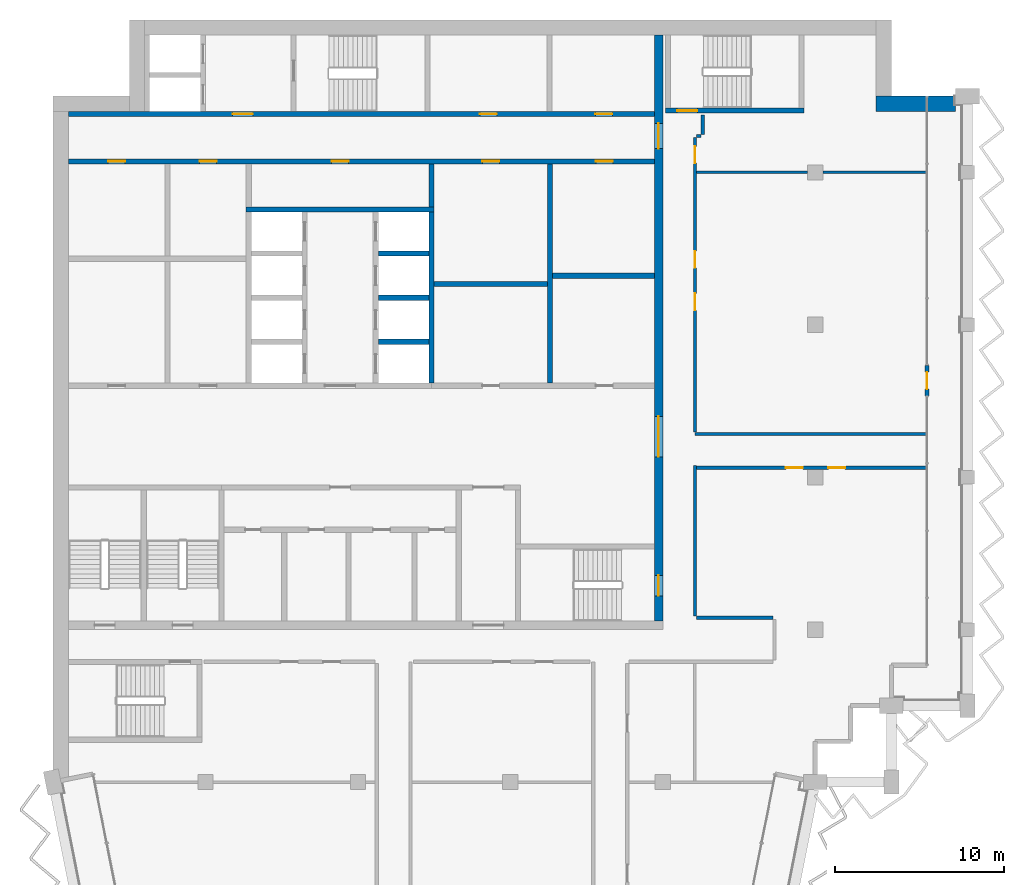
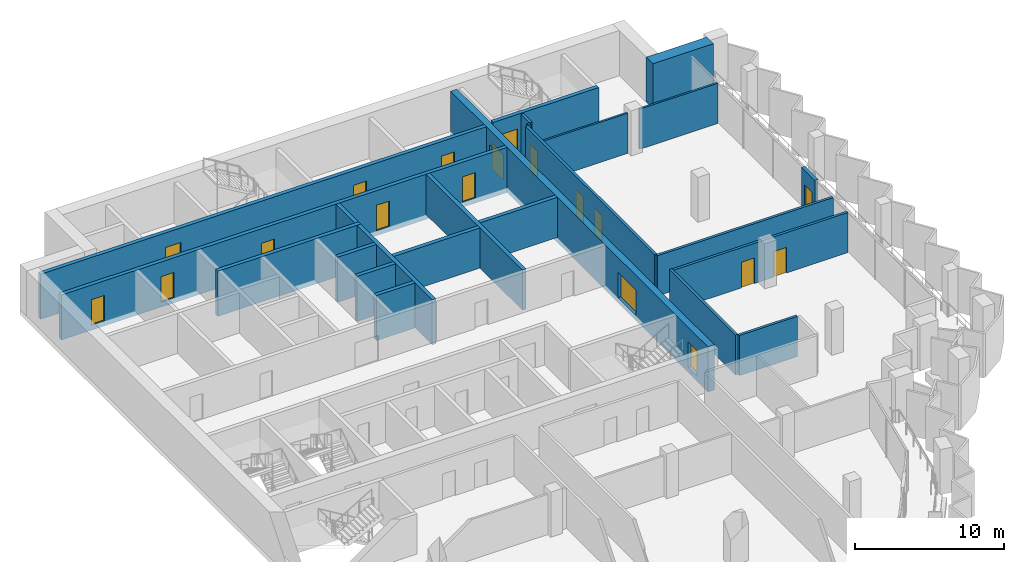
# One storey, part 9 of 14: 24 walls, 18 doors, 18 openings.
"""IFC4 building model written with IfcOpenShell, lengths in metres."""

from ifc_helpers import new_model, si_unit, direction, frame, frame_2d, origin, place, context, subcontext, project, spatial, rectangle, extrude, material, layer, layer_set, type_object, element, fill, save


model = new_model("IFC4")

# Units and contexts
model_context = context("Model", 3, precision=1e-05, world=origin(), true_north=direction((0.0, 1.0)))
body_context = subcontext(model_context, "Body", "Model", "MODEL_VIEW")
ifc_project = project(units=[si_unit("LENGTHUNIT", "METRE"), si_unit("AREAUNIT", "SQUARE_METRE"), si_unit("VOLUMEUNIT", "CUBIC_METRE"), si_unit("PLANEANGLEUNIT", "RADIAN"), si_unit("MASSUNIT", "GRAM", prefix="KILO")], contexts=[model_context])

# Site, building, storey
site_placement = place(None, origin())
site = spatial("IfcSite", under=ifc_project, at=site_placement, CompositionType="ELEMENT")
building_placement = place(site_placement, origin())
building = spatial("IfcBuilding", under=site, at=building_placement, Name="Hunhe Ridgeline Campus", CompositionType="ELEMENT")
storey_placement = place(building_placement, frame((0.0, 0.0, 291.89990234375)))
storey = spatial("IfcBuildingStorey", under=building, at=storey_placement, Name="L75", CompositionType="ELEMENT", Elevation=291.89990234375)

# Walls
ifc_material_1 = material(Name="Masonry concrete blockwork", Category="masonry")
ifc_layer_1 = layer(ifc_material_1, 0.300048828125)
ifc_layer_set_1 = layer_set([ifc_layer_1], Name="Core room partition 300 concrete block")
wall_type_1 = type_object("IfcWallType", Name="Core room partition 300 concrete block", PredefinedType="PARTITIONING", material=ifc_layer_set_1)
wall_1_placement = place(storey_placement, frame((22.5, 83.39990234375, 0.0), z_axis=(0.0, 0.0, 1.0), x_axis=(1.0, 0.0, 0.0)))
element("IfcWall", 1, at=wall_1_placement, inside=storey, type_object=wall_type_1, Name="L75 core partition 14", PredefinedType="PARTITIONING", context=body_context, shape_type="SweptSolid", body=[
    extrude(rectangle(XDim=6.699951171875, YDim=0.300048828125, at=frame_2d((3.35009765625, 0.0))), origin(), (0.0, 0.0, 1.0), 3.300048828125),
])
wall_2_placement = place(storey_placement, frame((29.5, 83.89990234375, 0.0), z_axis=(0.0, 0.0, 1.0), x_axis=(1.0, 0.0, 0.0)))
element("IfcWall", 2, at=wall_2_placement, inside=storey, type_object=wall_type_1, Name="L75 core partition 15", PredefinedType="PARTITIONING", context=body_context, shape_type="SweptSolid", body=[
    extrude(rectangle(XDim=6.0, YDim=0.300048828125, at=frame_2d((3.0, 0.0))), origin(), (0.0, 0.0, 1.0), 3.300048828125),
])
wall_3_placement = place(storey_placement, frame((22.35009765625, 87.949951171875, 0.0), z_axis=(0.0, 0.0, 1.0), x_axis=(0.0, 1.0, 0.0)))
element("IfcWall", 3, at=wall_3_placement, inside=storey, type_object=wall_type_1, Name="L75 core partition 40", PredefinedType="PARTITIONING", context=body_context, shape_type="SweptSolid", body=[
    extrude(rectangle(XDim=2.550048828125, YDim=0.300048828125, at=frame_2d((1.27490234375, 0.0))), origin(), (0.0, 0.0, 1.0), 3.300048828125),
])
wall_4_placement = place(storey_placement, frame((29.35009765625, 77.550048828125, 0.0), z_axis=(0.0, 0.0, 1.0), x_axis=(0.0, 1.0, 0.0)))
element("IfcWall", 4, at=wall_4_placement, inside=storey, type_object=wall_type_1, Name="L75 core partition 45", PredefinedType="PARTITIONING", context=body_context, shape_type="SweptSolid", body=[
    extrude(rectangle(XDim=12.949951171875, YDim=0.300048828125, at=frame_2d((6.47509765625, 0.0))), origin(), (0.0, 0.0, 1.0), 3.300048828125),
])

# Wall, openings, doors
ifc_material_2 = material(Name="Concrete C50", Category="concrete")
ifc_layer_2 = layer(ifc_material_2, 0.5)
ifc_layer_set_2 = layer_set([ifc_layer_2], Name="Core wall 500 reinforced concrete C50")
wall_type_2 = type_object("IfcWallType", Name="Core wall 500 reinforced concrete C50", PredefinedType="SOLIDWALL", material=ifc_layer_set_2)
wall_5_placement = place(storey_placement, frame((35.75, 63.5, -0.39990234375), z_axis=(0.0, 0.0, 1.0), x_axis=(0.0, 1.0, 0.0)))
wall_5 = element("IfcWall", 5, at=wall_5_placement, inside=storey, type_object=wall_type_2, Name="L75 core wall 46", PredefinedType="SOLIDWALL", context=body_context, shape_type="SweptSolid", body=[
    extrude(rectangle(XDim=34.60009765625, YDim=0.5, at=frame_2d((17.300048828125, 0.0))), origin(), (0.0, 0.0, 1.0), 3.699951171875),
])
opening_1_placement = place(wall_5_placement, frame((9.699951171875, 0.0, 0.39990234375)))
opening_1 = element("IfcOpeningElement", 6, at=opening_1_placement, cuts=wall_5, Name="Opening CD4", PredefinedType="OPENING", context=body_context, shape_type="SweptSolid", body=[
    extrude(rectangle(XDim=2.39990234375, YDim=2.10009765625, at=frame_2d((1.199951171875, 1.050048828125))), frame((0.0, 0.25, 0.0), z_axis=(0.0, -1.0, 0.0), x_axis=(1.0, 0.0, 0.0)), (0.0, 0.0, 1.0), 0.5),
])
opening_2_placement = place(wall_5_placement, frame((27.89990234375, 0.0, 0.39990234375)))
opening_2 = element("IfcOpeningElement", 7, at=opening_2_placement, cuts=wall_5, Name="Opening CD5", PredefinedType="OPENING", context=body_context, shape_type="SweptSolid", body=[
    extrude(rectangle(XDim=1.5, YDim=2.10009765625, at=frame_2d((0.75, 1.050048828125))), frame((0.0, 0.25, 0.0), z_axis=(0.0, -1.0, 0.0), x_axis=(1.0, 0.0, 0.0)), (0.0, 0.0, 1.0), 0.5),
])
opening_3_placement = place(wall_5_placement, frame((1.5, 0.0, 0.39990234375)))
opening_3 = element("IfcOpeningElement", 8, at=opening_3_placement, cuts=wall_5, Name="Opening CD15", PredefinedType="OPENING", context=body_context, shape_type="SweptSolid", body=[
    extrude(rectangle(XDim=1.199951171875, YDim=2.10009765625, at=frame_2d((0.60009765625, 1.050048828125))), frame((0.0, 0.25, 0.0), z_axis=(0.0, -1.0, 0.0), x_axis=(1.0, 0.0, 0.0)), (0.0, 0.0, 1.0), 0.5),
])
ifc_material_3 = material(Name="Anodised aluminium and glass", Category="aluminium")
door_type_1 = type_object("IfcDoorType", Name="Glazed double door 2400x2100", OperationType="DOUBLE_DOOR_SINGLE_SWING", PredefinedType="DOOR", material=ifc_material_3)
door_1_placement = place(opening_1_placement, frame((2.39990234375, 0.0, 0.0), z_axis=(0.0, 0.0, 1.0), x_axis=(-1.0, 0.0, 0.0)))
door_1 = element("IfcDoor", 9, at=door_1_placement, inside=storey, type_object=door_type_1, Name="L75 door HALL-FLOOR", OperationType="DOUBLE_DOOR_SINGLE_SWING", OverallHeight=2.10009765625, OverallWidth=2.39990234375, PredefinedType="DOOR", context=body_context, shape_type="SweptSolid", body=[
    extrude(rectangle(XDim=2.39990234375, YDim=2.10009765625, at=frame_2d((1.199951171875, 1.050048828125))), frame((0.0, 0.02490234375, 0.0), z_axis=(0.0, -1.0, 0.0), x_axis=(1.0, 0.0, 0.0)), (0.0, 0.0, 1.0), 0.050048828125),
])
fill(opening_1, door_1)
ifc_material_4 = material(Name="Hollow metal fire door leaf")
door_type_2 = type_object("IfcDoorType", Name="Stair door 1200x2100 FD60", OperationType="SINGLE_SWING_LEFT", PredefinedType="DOOR", material=ifc_material_4)
door_2_placement = place(opening_3_placement, frame((1.199951171875, 0.0, 0.0), z_axis=(0.0, 0.0, 1.0), x_axis=(-1.0, 0.0, 0.0)))
door_2 = element("IfcDoor", 10, at=door_2_placement, inside=storey, type_object=door_type_2, Name="L75 door S2-FLOOR", OperationType="SINGLE_SWING_LEFT", OverallHeight=2.10009765625, OverallWidth=1.199951171875, PredefinedType="DOOR", context=body_context, shape_type="SweptSolid", body=[
    extrude(rectangle(XDim=1.199951171875, YDim=2.10009765625, at=frame_2d((0.60009765625, 1.050048828125))), frame((0.0, 0.02490234375, 0.0), z_axis=(0.0, -1.0, 0.0), x_axis=(1.0, 0.0, 0.0)), (0.0, 0.0, 1.0), 0.050048828125),
])
fill(opening_3, door_2)
ifc_material_5 = material(Name="Solid core timber door leaf", Category="wood")
door_type_3 = type_object("IfcDoorType", Name="Timber door 1500x2100", OperationType="SINGLE_SWING_LEFT", PredefinedType="DOOR", material=ifc_material_5)
door_3_placement = place(opening_2_placement, frame((1.5, 0.0, 0.0), z_axis=(0.0, 0.0, 1.0), x_axis=(-1.0, 0.0, 0.0)))
door_3 = element("IfcDoor", 11, at=door_3_placement, inside=storey, type_object=door_type_3, Name="L75 door C1-FLOOR", OperationType="SINGLE_SWING_LEFT", OverallHeight=2.10009765625, OverallWidth=1.5, PredefinedType="DOOR", context=body_context, shape_type="SweptSolid", body=[
    extrude(rectangle(XDim=1.5, YDim=2.10009765625, at=frame_2d((0.75, 1.050048828125))), frame((0.0, 0.02490234375, 0.0), z_axis=(0.0, -1.0, 0.0), x_axis=(1.0, 0.0, 0.0)), (0.0, 0.0, 1.0), 0.050048828125),
])
fill(opening_2, door_3)

# Wall
ifc_material_6 = material(Name="Gypsum board partition")
ifc_layer_3 = layer(ifc_material_6, 0.199951171875)
ifc_layer_set_3 = layer_set([ifc_layer_3], Name="Corridor partition 200 gypsum board on steel studs")
wall_type_3 = type_object("IfcWallType", Name="Corridor partition 200 gypsum board on steel studs", PredefinedType="PARTITIONING", material=ifc_layer_set_3)
wall_6_placement = place(storey_placement, frame((38.0, 63.699951171875, 0.0), z_axis=(0.0, 0.0, 1.0), x_axis=(1.0, 0.0, 0.0)))
element("IfcWall", 12, at=wall_6_placement, inside=storey, type_object=wall_type_3, Name="F-L75-wall-011", PredefinedType="PARTITIONING", context=body_context, shape_type="SweptSolid", body=[
    extrude(rectangle(XDim=4.5, YDim=0.199951171875, at=frame_2d((2.25, 0.0))), origin(), (0.0, 0.0, 1.0), 3.300048828125),
])

# Wall, openings, doors
wall_7_placement = place(storey_placement, frame((51.544921875, 72.550048828125, 0.0), z_axis=(0.0, 0.0, 1.0), x_axis=(-1.0, 0.0, 0.0)))
wall_7 = element("IfcWall", 13, at=wall_7_placement, inside=storey, type_object=wall_type_3, Name="F-L75-wall-012", PredefinedType="PARTITIONING", context=body_context, shape_type="SweptSolid", body=[
    extrude(rectangle(XDim=13.544921875, YDim=0.199951171875, at=frame_2d((6.7724609375, 0.0))), origin(), (0.0, 0.0, 1.0), 3.300048828125),
])
opening_4_placement = place(wall_7_placement, frame((7.2724609375, 0.0, 0.0)))
opening_4 = element("IfcOpeningElement", 14, at=opening_4_placement, cuts=wall_7, Name="Opening RD1-012", PredefinedType="OPENING", context=body_context, shape_type="SweptSolid", body=[
    extrude(rectangle(XDim=1.0, YDim=2.10009765625, at=frame_2d((0.5, 1.050048828125))), frame((0.0, 0.10009765625, 0.0), z_axis=(0.0, -1.0, 0.0), x_axis=(1.0, 0.0, 0.0)), (0.0, 0.0, 1.0), 0.199951171875),
])
opening_5_placement = place(wall_7_placement, frame((4.7724609375, 0.0, 0.0)))
opening_5 = element("IfcOpeningElement", 15, at=opening_5_placement, cuts=wall_7, Name="Opening RD1-013", PredefinedType="OPENING", context=body_context, shape_type="SweptSolid", body=[
    extrude(rectangle(XDim=1.0, YDim=2.10009765625, at=frame_2d((0.5, 1.050048828125))), frame((0.0, 0.10009765625, 0.0), z_axis=(0.0, -1.0, 0.0), x_axis=(1.0, 0.0, 0.0)), (0.0, 0.0, 1.0), 0.199951171875),
])
ifc_material_7 = material(Name="Timber door leaf", Category="wood")
door_type_4 = type_object("IfcDoorType", Name="Single fire door 1000x2100 timber FD60", OperationType="NOTDEFINED", PredefinedType="DOOR", material=ifc_material_7)
door_4_placement = place(opening_4_placement, frame((1.0, 0.0, 0.0), z_axis=(0.0, 0.0, 1.0), x_axis=(-1.0, 0.0, 0.0)))
door_4 = element("IfcDoor", 16, at=door_4_placement, inside=storey, type_object=door_type_4, Name="F-L75-door-012", OperationType="SINGLE_SWING_LEFT", OverallHeight=2.10009765625, OverallWidth=1.0, PredefinedType="DOOR", context=body_context, shape_type="SweptSolid", body=[
    extrude(rectangle(XDim=1.0, YDim=2.10009765625, at=frame_2d((0.5, 1.050048828125))), frame((0.0, 0.02490234375, 0.0), z_axis=(0.0, -1.0, 0.0), x_axis=(1.0, 0.0, 0.0)), (0.0, 0.0, 1.0), 0.050048828125),
])
fill(opening_4, door_4)
door_5_placement = place(opening_5_placement, frame((1.0, 0.0, 0.0), z_axis=(0.0, 0.0, 1.0), x_axis=(-1.0, 0.0, 0.0)))
door_5 = element("IfcDoor", 17, at=door_5_placement, inside=storey, type_object=door_type_4, Name="F-L75-door-013", OperationType="SINGLE_SWING_RIGHT", OverallHeight=2.10009765625, OverallWidth=1.0, PredefinedType="DOOR", context=body_context, shape_type="SweptSolid", body=[
    extrude(rectangle(XDim=1.0, YDim=2.10009765625, at=frame_2d((0.5, 1.050048828125))), frame((0.0, 0.02490234375, 0.0), z_axis=(0.0, -1.0, 0.0), x_axis=(1.0, 0.0, 0.0)), (0.0, 0.0, 1.0), 0.050048828125),
])
fill(opening_5, door_5)

# Walls
wall_8_placement = place(storey_placement, frame((37.89990234375, 74.550048828125, 0.0), z_axis=(0.0, 0.0, 1.0), x_axis=(1.0, 0.0, 0.0)))
element("IfcWall", 18, at=wall_8_placement, inside=storey, type_object=wall_type_3, Name="F-L75-wall-013", PredefinedType="PARTITIONING", context=body_context, shape_type="SweptSolid", body=[
    extrude(rectangle(XDim=13.64501953125, YDim=0.199951171875, at=frame_2d((6.822509765625, 0.0))), origin(), (0.0, 0.0, 1.0), 3.300048828125),
])
wall_9_placement = place(storey_placement, frame((38.25, 92.14990234375, 0.0), z_axis=(0.0, 0.0, 1.0), x_axis=(-1.0, 0.0, 0.0)))
element("IfcWall", 19, at=wall_9_placement, inside=storey, type_object=wall_type_3, Name="F-L75-wall-016", PredefinedType="PARTITIONING", context=body_context, shape_type="SweptSolid", body=[
    extrude(rectangle(XDim=0.25, YDim=0.199951171875, at=frame_2d((0.125, 0.0))), origin(), (0.0, 0.0, 1.0), 3.300048828125),
])
wall_10_placement = place(storey_placement, frame((37.89990234375, 72.684326171875, 0.0), z_axis=(0.0, 0.0, 1.0), x_axis=(0.0, -1.0, 0.0)))
element("IfcWall", 20, at=wall_10_placement, inside=storey, type_object=wall_type_3, Name="F-L75-wall-022", PredefinedType="PARTITIONING", context=body_context, shape_type="SweptSolid", body=[
    extrude(rectangle(XDim=8.88427734375, YDim=0.199951171875, at=frame_2d((4.442138671875, 0.0))), origin(), (0.0, 0.0, 1.0), 3.300048828125),
])

# Wall, openings, doors
wall_11_placement = place(storey_placement, frame((37.89990234375, 92.050048828125, 0.0), z_axis=(0.0, 0.0, 1.0), x_axis=(0.0, -1.0, 0.0)))
wall_11 = element("IfcWall", 21, at=wall_11_placement, inside=storey, type_object=wall_type_3, Name="F-L75-wall-023", PredefinedType="PARTITIONING", context=body_context, shape_type="SweptSolid", body=[
    extrude(rectangle(XDim=17.369384765625, YDim=0.199951171875, at=frame_2d((8.6845703125, 0.0))), origin(), (0.0, 0.0, 1.0), 3.300048828125),
])
opening_6_placement = place(wall_11_placement, frame((9.191650390625, 0.0, 0.0)))
opening_6 = element("IfcOpeningElement", 22, at=opening_6_placement, cuts=wall_11, Name="Opening RD1-014", PredefinedType="OPENING", context=body_context, shape_type="SweptSolid", body=[
    extrude(rectangle(XDim=1.0, YDim=2.10009765625, at=frame_2d((0.5, 1.050048828125))), frame((0.0, 0.10009765625, 0.0), z_axis=(0.0, -1.0, 0.0), x_axis=(1.0, 0.0, 0.0)), (0.0, 0.0, 1.0), 0.199951171875),
])
opening_7_placement = place(wall_11_placement, frame((6.691650390625, 0.0, 0.0)))
opening_7 = element("IfcOpeningElement", 23, at=opening_7_placement, cuts=wall_11, Name="Opening RD1-015", PredefinedType="OPENING", context=body_context, shape_type="SweptSolid", body=[
    extrude(rectangle(XDim=1.0, YDim=2.10009765625, at=frame_2d((0.5, 1.050048828125))), frame((0.0, 0.10009765625, 0.0), z_axis=(0.0, -1.0, 0.0), x_axis=(1.0, 0.0, 0.0)), (0.0, 0.0, 1.0), 0.199951171875),
])
opening_8_placement = place(wall_11_placement, frame((0.5068359375, 0.0, 0.0)))
opening_8 = element("IfcOpeningElement", 24, at=opening_8_placement, cuts=wall_11, Name="Opening RD1-016", PredefinedType="OPENING", context=body_context, shape_type="SweptSolid", body=[
    extrude(rectangle(XDim=1.0, YDim=2.10009765625, at=frame_2d((0.5, 1.050048828125))), frame((0.0, 0.10009765625, 0.0), z_axis=(0.0, -1.0, 0.0), x_axis=(1.0, 0.0, 0.0)), (0.0, 0.0, 1.0), 0.199951171875),
])
door_6_placement = place(opening_6_placement, frame((1.0, 0.0, 0.0), z_axis=(0.0, 0.0, 1.0), x_axis=(-1.0, 0.0, 0.0)))
door_6 = element("IfcDoor", 25, at=door_6_placement, inside=storey, type_object=door_type_4, Name="F-L75-door-014", OperationType="SINGLE_SWING_RIGHT", OverallHeight=2.10009765625, OverallWidth=1.0, PredefinedType="DOOR", context=body_context, shape_type="SweptSolid", body=[
    extrude(rectangle(XDim=1.0, YDim=2.10009765625, at=frame_2d((0.5, 1.050048828125))), frame((0.0, 0.02490234375, 0.0), z_axis=(0.0, -1.0, 0.0), x_axis=(1.0, 0.0, 0.0)), (0.0, 0.0, 1.0), 0.050048828125),
])
fill(opening_6, door_6)
door_7_placement = place(opening_7_placement, frame((1.0, 0.0, 0.0), z_axis=(0.0, 0.0, 1.0), x_axis=(-1.0, 0.0, 0.0)))
door_7 = element("IfcDoor", 26, at=door_7_placement, inside=storey, type_object=door_type_4, Name="F-L75-door-015", OperationType="SINGLE_SWING_RIGHT", OverallHeight=2.10009765625, OverallWidth=1.0, PredefinedType="DOOR", context=body_context, shape_type="SweptSolid", body=[
    extrude(rectangle(XDim=1.0, YDim=2.10009765625, at=frame_2d((0.5, 1.050048828125))), frame((0.0, 0.02490234375, 0.0), z_axis=(0.0, -1.0, 0.0), x_axis=(1.0, 0.0, 0.0)), (0.0, 0.0, 1.0), 0.050048828125),
])
fill(opening_7, door_7)
door_8_placement = place(opening_8_placement, frame((1.0, 0.0, 0.0), z_axis=(0.0, 0.0, 1.0), x_axis=(-1.0, 0.0, 0.0)))
door_8 = element("IfcDoor", 27, at=door_8_placement, inside=storey, type_object=door_type_4, Name="F-L75-door-016", OperationType="SINGLE_SWING_RIGHT", OverallHeight=2.10009765625, OverallWidth=1.0, PredefinedType="DOOR", context=body_context, shape_type="SweptSolid", body=[
    extrude(rectangle(XDim=1.0, YDim=2.10009765625, at=frame_2d((0.5, 1.050048828125))), frame((0.0, 0.02490234375, 0.0), z_axis=(0.0, -1.0, 0.0), x_axis=(1.0, 0.0, 0.0)), (0.0, 0.0, 1.0), 0.050048828125),
])
fill(opening_8, door_8)

# Wall
wall_12_placement = place(storey_placement, frame((38.35009765625, 93.39599609375, 0.0), z_axis=(0.0, 0.0, 1.0), x_axis=(0.0, -1.0, 0.0)))
element("IfcWall", 28, at=wall_12_placement, inside=storey, type_object=wall_type_3, Name="F-L75-wall-024", PredefinedType="PARTITIONING", context=body_context, shape_type="SweptSolid", body=[
    extrude(rectangle(XDim=1.14599609375, YDim=0.199951171875, at=frame_2d((0.572998046875, 0.0))), origin(), (0.0, 0.0, 1.0), 3.300048828125),
])

# Wall, openings, doors
ifc_layer_4 = layer(ifc_material_2, 0.300048828125)
ifc_layer_set_4 = layer_set([ifc_layer_4], Name="Lobby wall 300 reinforced concrete C50")
wall_type_4 = type_object("IfcWallType", Name="Lobby wall 300 reinforced concrete C50", PredefinedType="SOLIDWALL", material=ifc_layer_set_4)
wall_13_placement = place(storey_placement, frame((0.89990234375, 90.64990234375, -0.39990234375), z_axis=(0.0, 0.0, 1.0), x_axis=(1.0, 0.0, 0.0)))
wall_13 = element("IfcWall", 29, at=wall_13_placement, inside=storey, type_object=wall_type_4, Name="L75 core wall 20", PredefinedType="SOLIDWALL", context=body_context, shape_type="SweptSolid", body=[
    extrude(rectangle(XDim=34.60009765625, YDim=0.300048828125, at=frame_2d((17.300048828125, 0.0))), origin(), (0.0, 0.0, 1.0), 3.699951171875),
])
opening_9_placement = place(wall_13_placement, frame((15.550048828125, 0.0, 0.39990234375)))
opening_9 = element("IfcOpeningElement", 30, at=opening_9_placement, cuts=wall_13, Name="Opening CD26", PredefinedType="OPENING", context=body_context, shape_type="SweptSolid", body=[
    extrude(rectangle(XDim=1.0, YDim=2.10009765625, at=frame_2d((0.5, 1.050048828125))), frame((0.0, 0.14990234375, 0.0), z_axis=(0.0, -1.0, 0.0), x_axis=(1.0, 0.0, 0.0)), (0.0, 0.0, 1.0), 0.300048828125),
])
opening_10_placement = place(wall_13_placement, frame((2.35009765625, 0.0, 0.39990234375)))
opening_10 = element("IfcOpeningElement", 31, at=opening_10_placement, cuts=wall_13, Name="Opening CD40", PredefinedType="OPENING", context=body_context, shape_type="SweptSolid", body=[
    extrude(rectangle(XDim=1.0, YDim=2.10009765625, at=frame_2d((0.5, 1.050048828125))), frame((0.0, 0.14990234375, 0.0), z_axis=(0.0, -1.0, 0.0), x_axis=(1.0, 0.0, 0.0)), (0.0, 0.0, 1.0), 0.300048828125),
])
opening_11_placement = place(wall_13_placement, frame((7.75, 0.0, 0.39990234375)))
opening_11 = element("IfcOpeningElement", 32, at=opening_11_placement, cuts=wall_13, Name="Opening CD43", PredefinedType="OPENING", context=body_context, shape_type="SweptSolid", body=[
    extrude(rectangle(XDim=1.0, YDim=2.10009765625, at=frame_2d((0.5, 1.050048828125))), frame((0.0, 0.14990234375, 0.0), z_axis=(0.0, -1.0, 0.0), x_axis=(1.0, 0.0, 0.0)), (0.0, 0.0, 1.0), 0.300048828125),
])
opening_12_placement = place(wall_13_placement, frame((24.449951171875, 0.0, 0.39990234375)))
opening_12 = element("IfcOpeningElement", 33, at=opening_12_placement, cuts=wall_13, Name="Opening CD33", PredefinedType="OPENING", context=body_context, shape_type="SweptSolid", body=[
    extrude(rectangle(XDim=1.0, YDim=2.10009765625, at=frame_2d((0.5, 1.050048828125))), frame((0.0, 0.14990234375, 0.0), z_axis=(0.0, -1.0, 0.0), x_axis=(1.0, 0.0, 0.0)), (0.0, 0.0, 1.0), 0.300048828125),
])
opening_13_placement = place(wall_13_placement, frame((31.14990234375, 0.0, 0.39990234375)))
opening_13 = element("IfcOpeningElement", 34, at=opening_13_placement, cuts=wall_13, Name="Opening CD44", PredefinedType="OPENING", context=body_context, shape_type="SweptSolid", body=[
    extrude(rectangle(XDim=1.0, YDim=2.10009765625, at=frame_2d((0.5, 1.050048828125))), frame((0.0, 0.14990234375, 0.0), z_axis=(0.0, -1.0, 0.0), x_axis=(1.0, 0.0, 0.0)), (0.0, 0.0, 1.0), 0.300048828125),
])
door_type_5 = type_object("IfcDoorType", Name="Timber door 1000x2100", OperationType="SINGLE_SWING_LEFT", PredefinedType="DOOR", material=ifc_material_5)
door_9_placement = place(opening_9_placement, frame((1.0, 0.0, 0.0), z_axis=(0.0, 0.0, 1.0), x_axis=(-1.0, 0.0, 0.0)))
door_9 = element("IfcDoor", 35, at=door_9_placement, inside=storey, type_object=door_type_5, Name="L75 door NR-0", OperationType="SINGLE_SWING_LEFT", OverallHeight=2.10009765625, OverallWidth=1.0, PredefinedType="DOOR", context=body_context, shape_type="SweptSolid", body=[
    extrude(rectangle(XDim=1.0, YDim=2.10009765625, at=frame_2d((0.5, 1.050048828125))), frame((0.0, 0.02490234375, 0.0), z_axis=(0.0, -1.0, 0.0), x_axis=(1.0, 0.0, 0.0)), (0.0, 0.0, 1.0), 0.050048828125),
])
fill(opening_9, door_9)
door_10_placement = place(opening_10_placement, frame((1.0, 0.0, 0.0), z_axis=(0.0, 0.0, 1.0), x_axis=(-1.0, 0.0, 0.0)))
door_10 = element("IfcDoor", 36, at=door_10_placement, inside=storey, type_object=door_type_5, Name="L75 door VD-LR1", OperationType="SINGLE_SWING_LEFT", OverallHeight=2.10009765625, OverallWidth=1.0, PredefinedType="DOOR", context=body_context, shape_type="SweptSolid", body=[
    extrude(rectangle(XDim=1.0, YDim=2.10009765625, at=frame_2d((0.5, 1.050048828125))), frame((0.0, 0.02490234375, 0.0), z_axis=(0.0, -1.0, 0.0), x_axis=(1.0, 0.0, 0.0)), (0.0, 0.0, 1.0), 0.050048828125),
])
fill(opening_10, door_10)
door_11_placement = place(opening_11_placement, frame((1.0, 0.0, 0.0), z_axis=(0.0, 0.0, 1.0), x_axis=(-1.0, 0.0, 0.0)))
door_11 = element("IfcDoor", 37, at=door_11_placement, inside=storey, type_object=door_type_5, Name="L75 door VD-LR3", OperationType="SINGLE_SWING_LEFT", OverallHeight=2.10009765625, OverallWidth=1.0, PredefinedType="DOOR", context=body_context, shape_type="SweptSolid", body=[
    extrude(rectangle(XDim=1.0, YDim=2.10009765625, at=frame_2d((0.5, 1.050048828125))), frame((0.0, 0.02490234375, 0.0), z_axis=(0.0, -1.0, 0.0), x_axis=(1.0, 0.0, 0.0)), (0.0, 0.0, 1.0), 0.050048828125),
])
fill(opening_11, door_11)
door_12_placement = place(opening_12_placement, frame((1.0, 0.0, 0.0), z_axis=(0.0, 0.0, 1.0), x_axis=(-1.0, 0.0, 0.0)))
door_12 = element("IfcDoor", 38, at=door_12_placement, inside=storey, type_object=door_type_5, Name="L75 door ES1", OperationType="SINGLE_SWING_RIGHT", OverallHeight=2.10009765625, OverallWidth=1.0, PredefinedType="DOOR", context=body_context, shape_type="SweptSolid", body=[
    extrude(rectangle(XDim=1.0, YDim=2.10009765625, at=frame_2d((0.5, 1.050048828125))), frame((0.0, 0.02490234375, 0.0), z_axis=(0.0, -1.0, 0.0), x_axis=(1.0, 0.0, 0.0)), (0.0, 0.0, 1.0), 0.050048828125),
])
fill(opening_12, door_12)
door_13_placement = place(opening_13_placement, frame((1.0, 0.0, 0.0), z_axis=(0.0, 0.0, 1.0), x_axis=(-1.0, 0.0, 0.0)))
door_13 = element("IfcDoor", 39, at=door_13_placement, inside=storey, type_object=door_type_5, Name="L75 door ES3", OperationType="SINGLE_SWING_RIGHT", OverallHeight=2.10009765625, OverallWidth=1.0, PredefinedType="DOOR", context=body_context, shape_type="SweptSolid", body=[
    extrude(rectangle(XDim=1.0, YDim=2.10009765625, at=frame_2d((0.5, 1.050048828125))), frame((0.0, 0.02490234375, 0.0), z_axis=(0.0, -1.0, 0.0), x_axis=(1.0, 0.0, 0.0)), (0.0, 0.0, 1.0), 0.050048828125),
])
fill(opening_13, door_13)

# Wall, opening, door
ifc_material_8 = material(Name="Concrete C30", Category="concrete")
ifc_layer_5 = layer(ifc_material_8, 0.25)
ifc_layer_set_5 = layer_set([ifc_layer_5], Name="Loggia door pier wall 250 Concrete C30")
wall_type_5 = type_object("IfcWallType", Name="Loggia door pier wall 250 Concrete C30", PredefinedType="SOLIDWALL", material=ifc_layer_set_5)
wall_14_placement = place(storey_placement, frame((51.59912109375, 76.800537109375, 0.0), z_axis=(0.0, 0.0, 1.0), x_axis=(0.0, 1.0, 0.0)))
wall_14 = element("IfcWall", 40, at=wall_14_placement, inside=storey, type_object=wall_type_5, Name="Loggia door pier 3", PredefinedType="SOLIDWALL", context=body_context, shape_type="SweptSolid", body=[
    extrude(rectangle(XDim=1.800048828125, YDim=0.25, at=frame_2d((0.89990234375, 0.0))), origin(), (0.0, 0.0, 1.0), 3.300048828125),
])
opening_14_placement = place(wall_14_placement, frame((0.39990234375, 0.0, 0.0)))
opening_14 = element("IfcOpeningElement", 41, at=opening_14_placement, cuts=wall_14, Name="Opening BD605", PredefinedType="OPENING", context=body_context, shape_type="SweptSolid", body=[
    extrude(rectangle(XDim=1.0, YDim=2.10009765625, at=frame_2d((0.5, 1.050048828125))), frame((0.0, 0.125, 0.0), z_axis=(0.0, -1.0, 0.0), x_axis=(1.0, 0.0, 0.0)), (0.0, 0.0, 1.0), 0.25),
])
ifc_material_9 = material(Name="Aluminium 6063", Category="aluminium")
door_type_6 = type_object("IfcDoorType", Name="Loggia glazed door 1000x2100", OperationType="NOTDEFINED", PredefinedType="DOOR", material=ifc_material_9)
door_14_placement = place(opening_14_placement, frame((1.0, 0.0, 0.0), z_axis=(0.0, 0.0, 1.0), x_axis=(-1.0, 0.0, 0.0)))
door_14 = element("IfcDoor", 42, at=door_14_placement, inside=storey, type_object=door_type_6, Name="Loggia door BD605", OperationType="SINGLE_SWING_RIGHT", OverallHeight=2.10009765625, OverallWidth=1.0, PredefinedType="DOOR", context=body_context, shape_type="SweptSolid", body=[
    extrude(rectangle(XDim=1.0, YDim=2.10009765625, at=frame_2d((0.5, 1.050048828125))), frame((0.0, 0.02490234375, 0.0), z_axis=(0.0, -1.0, 0.0), x_axis=(1.0, 0.0, 0.0)), (0.0, 0.0, 1.0), 0.050048828125),
])
fill(opening_14, door_14)

# Walls
ifc_layer_6 = layer(ifc_material_6, 0.14990234375)
ifc_layer_set_6 = layer_set([ifc_layer_6], Name="Room partition 150 gypsum board on steel studs")
wall_type_6 = type_object("IfcWallType", Name="Room partition 150 gypsum board on steel studs", PredefinedType="PARTITIONING", material=ifc_layer_set_6)
wall_15_placement = place(storey_placement, frame((38.0, 90.0, 0.0), z_axis=(0.0, 0.0, 1.0), x_axis=(1.0, 0.0, 0.0)))
element("IfcWall", 43, at=wall_15_placement, inside=storey, type_object=wall_type_6, Name="F-L75-wall-014", PredefinedType="PARTITIONING", context=body_context, shape_type="SweptSolid", body=[
    extrude(rectangle(XDim=6.550048828125, YDim=0.14990234375, at=frame_2d((3.27490234375, 0.0))), origin(), (0.0, 0.0, 1.0), 3.300048828125),
])
wall_16_placement = place(storey_placement, frame((45.449951171875, 90.0, 0.0), z_axis=(0.0, 0.0, 1.0), x_axis=(1.0, 0.0, 0.0)))
element("IfcWall", 44, at=wall_16_placement, inside=storey, type_object=wall_type_6, Name="F-L75-wall-015", PredefinedType="PARTITIONING", context=body_context, shape_type="SweptSolid", body=[
    extrude(rectangle(XDim=6.094970703125, YDim=0.14990234375, at=frame_2d((3.04736328125, 0.0))), origin(), (0.0, 0.0, 1.0), 3.300048828125),
])
ifc_layer_7 = layer(ifc_material_2, 0.300048828125)
ifc_layer_set_7 = layer_set([ifc_layer_7], Name="Shaft wall 300 reinforced concrete C50")
wall_type_7 = type_object("IfcWallType", Name="Shaft wall 300 reinforced concrete C50", PredefinedType="SOLIDWALL", material=ifc_layer_set_7)
for number, where, z_axis, x_axis, name in (
    (45, (19.199951171875, 80.0, -0.39990234375), (0.0, 0.0, 1.0), (1.0, 0.0, 0.0), "L75 core wall 11"),
    (46, (19.199951171875, 82.60009765625, -0.39990234375), (0.0, 0.0, 1.0), (1.0, 0.0, 0.0), "L75 core wall 13"),
    (47, (19.199951171875, 85.199951171875, -0.39990234375), (0.0, 0.0, 1.0), (1.0, 0.0, 0.0), "L75 core wall 18"),
):
    element("IfcWall", number, at=place(storey_placement, frame(where, z_axis=z_axis, x_axis=x_axis)), inside=storey, type_object=wall_type_7, Name=name, PredefinedType="SOLIDWALL", context=body_context, shape_type="SweptSolid", body=[
        extrude(rectangle(XDim=3.0, YDim=0.300048828125, at=frame_2d((1.5, 0.0))), origin(), (0.0, 0.0, 1.0), 3.699951171875),
    ])
wall_17_placement = place(storey_placement, frame((11.39990234375, 87.800048828125, -0.39990234375), z_axis=(0.0, 0.0, 1.0), x_axis=(1.0, 0.0, 0.0)))
element("IfcWall", 48, at=wall_17_placement, inside=storey, type_object=wall_type_7, Name="L75 core wall 19", PredefinedType="SOLIDWALL", context=body_context, shape_type="SweptSolid", body=[
    extrude(rectangle(XDim=11.10009765625, YDim=0.300048828125, at=frame_2d((5.550048828125, 0.0))), origin(), (0.0, 0.0, 1.0), 3.699951171875),
])

# Wall, openings, doors
wall_18_placement = place(storey_placement, frame((0.89990234375, 93.449951171875, -0.39990234375), z_axis=(0.0, 0.0, 1.0), x_axis=(1.0, 0.0, 0.0)))
wall_18 = element("IfcWall", 49, at=wall_18_placement, inside=storey, type_object=wall_type_7, Name="L75 core wall 21", PredefinedType="SOLIDWALL", context=body_context, shape_type="SweptSolid", body=[
    extrude(rectangle(XDim=34.60009765625, YDim=0.300048828125, at=frame_2d((17.300048828125, 0.0))), origin(), (0.0, 0.0, 1.0), 3.699951171875),
])
opening_15_placement = place(wall_18_placement, frame((9.699951171875, 0.0, 0.39990234375)))
opening_15 = element("IfcOpeningElement", 50, at=opening_15_placement, cuts=wall_18, Name="Opening CD3", PredefinedType="OPENING", context=body_context, shape_type="SweptSolid", body=[
    extrude(rectangle(XDim=1.199951171875, YDim=2.10009765625, at=frame_2d((0.60009765625, 1.050048828125))), frame((0.0, 0.14990234375, 0.0), z_axis=(0.0, -1.0, 0.0), x_axis=(1.0, 0.0, 0.0)), (0.0, 0.0, 1.0), 0.300048828125),
])
opening_16_placement = place(wall_18_placement, frame((24.300048828125, 0.0, 0.39990234375)))
opening_16 = element("IfcOpeningElement", 51, at=opening_16_placement, cuts=wall_18, Name="Opening CD34", PredefinedType="OPENING", context=body_context, shape_type="SweptSolid", body=[
    extrude(rectangle(XDim=1.0, YDim=2.10009765625, at=frame_2d((0.5, 1.050048828125))), frame((0.0, 0.14990234375, 0.0), z_axis=(0.0, -1.0, 0.0), x_axis=(1.0, 0.0, 0.0)), (0.0, 0.0, 1.0), 0.300048828125),
])
opening_17_placement = place(wall_18_placement, frame((31.125, 0.0, 0.39990234375)))
opening_17 = element("IfcOpeningElement", 52, at=opening_17_placement, cuts=wall_18, Name="Opening CD35", PredefinedType="OPENING", context=body_context, shape_type="SweptSolid", body=[
    extrude(rectangle(XDim=1.0, YDim=2.10009765625, at=frame_2d((0.5, 1.050048828125))), frame((0.0, 0.14990234375, 0.0), z_axis=(0.0, -1.0, 0.0), x_axis=(1.0, 0.0, 0.0)), (0.0, 0.0, 1.0), 0.300048828125),
])
door_type_7 = type_object("IfcDoorType", Name="Lobby door 1200x2100 FD60", OperationType="SINGLE_SWING_LEFT", PredefinedType="DOOR", material=ifc_material_4)
door_15_placement = place(opening_15_placement, frame((1.199951171875, 0.0, 0.0), z_axis=(0.0, 0.0, 1.0), x_axis=(-1.0, 0.0, 0.0)))
door_15 = element("IfcDoor", 53, at=door_15_placement, inside=storey, type_object=door_type_7, Name="L75 door FF-C1", OperationType="SINGLE_SWING_RIGHT", OverallHeight=2.10009765625, OverallWidth=1.199951171875, PredefinedType="DOOR", context=body_context, shape_type="SweptSolid", body=[
    extrude(rectangle(XDim=1.199951171875, YDim=2.10009765625, at=frame_2d((0.60009765625, 1.050048828125))), frame((0.0, 0.02490234375, 0.0), z_axis=(0.0, -1.0, 0.0), x_axis=(1.0, 0.0, 0.0)), (0.0, 0.0, 1.0), 0.050048828125),
])
fill(opening_15, door_15)
door_16_placement = place(opening_16_placement, origin())
door_16 = element("IfcDoor", 54, at=door_16_placement, inside=storey, type_object=door_type_5, Name="L75 door NB0", OperationType="SINGLE_SWING_RIGHT", OverallHeight=2.10009765625, OverallWidth=1.0, PredefinedType="DOOR", context=body_context, shape_type="SweptSolid", body=[
    extrude(rectangle(XDim=1.0, YDim=2.10009765625, at=frame_2d((0.5, 1.050048828125))), frame((0.0, 0.02490234375, 0.0), z_axis=(0.0, -1.0, 0.0), x_axis=(1.0, 0.0, 0.0)), (0.0, 0.0, 1.0), 0.050048828125),
])
fill(opening_16, door_16)
door_17_placement = place(opening_17_placement, origin())
door_17 = element("IfcDoor", 55, at=door_17_placement, inside=storey, type_object=door_type_5, Name="L75 door NB1", OperationType="SINGLE_SWING_LEFT", OverallHeight=2.10009765625, OverallWidth=1.0, PredefinedType="DOOR", context=body_context, shape_type="SweptSolid", body=[
    extrude(rectangle(XDim=1.0, YDim=2.10009765625, at=frame_2d((0.5, 1.050048828125))), frame((0.0, 0.02490234375, 0.0), z_axis=(0.0, -1.0, 0.0), x_axis=(1.0, 0.0, 0.0)), (0.0, 0.0, 1.0), 0.050048828125),
])
fill(opening_17, door_17)

# Walls
wall_19_placement = place(storey_placement, frame((22.35009765625, 77.550048828125, -0.39990234375), z_axis=(0.0, 0.0, 1.0), x_axis=(0.0, 1.0, 0.0)))
element("IfcWall", 56, at=wall_19_placement, inside=storey, type_object=wall_type_7, Name="L75 core wall 39", PredefinedType="SOLIDWALL", context=body_context, shape_type="SweptSolid", body=[
    extrude(rectangle(XDim=10.099853515625, YDim=0.300048828125, at=frame_2d((5.0498046875, 0.0))), origin(), (0.0, 0.0, 1.0), 3.699951171875),
])
ifc_layer_8 = layer(ifc_material_2, 0.89990234375)
ifc_layer_set_8 = layer_set([ifc_layer_8], Name="Spine wall 900 Concrete C50")
wall_type_8 = type_object("IfcWallType", Name="Spine wall 900 Concrete C50", PredefinedType="SHEAR", material=ifc_layer_set_8)
wall_20_placement = place(storey_placement, frame((53.300048828125, 94.050048828125, 0.0), z_axis=(0.0, 0.0, 1.0), x_axis=(-1.0, 0.0, 0.0)))
element("IfcWall", 57, at=wall_20_placement, inside=storey, type_object=wall_type_8, Name="Spine wall SW4-2 L75", PredefinedType="SHEAR", context=body_context, shape_type="SweptSolid", body=[
    extrude(rectangle(XDim=4.699951171875, YDim=0.89990234375, at=frame_2d((2.35009765625, 0.0))), origin(), (0.0, 0.0, 1.0), 3.7001953125),
])

# Wall, opening, door
ifc_layer_9 = layer(ifc_material_2, 0.300048828125)
ifc_layer_set_9 = layer_set([ifc_layer_9], Name="Stair wall 300 reinforced concrete C50")
wall_type_9 = type_object("IfcWallType", Name="Stair wall 300 reinforced concrete C50", PredefinedType="SOLIDWALL", material=ifc_layer_set_9)
wall_21_placement = place(storey_placement, frame((36.14990234375, 93.64990234375, -0.39990234375), z_axis=(0.0, 0.0, 1.0), x_axis=(1.0, 0.0, 0.0)))
wall_21 = element("IfcWall", 58, at=wall_21_placement, inside=storey, type_object=wall_type_9, Name="L75 core wall 22", PredefinedType="SOLIDWALL", context=body_context, shape_type="SweptSolid", body=[
    extrude(rectangle(XDim=8.2001953125, YDim=0.300048828125, at=frame_2d((4.10009765625, 0.0))), origin(), (0.0, 0.0, 1.0), 3.699951171875),
])
opening_18_placement = place(wall_21_placement, frame((0.699951171875, 0.0, 0.39990234375)))
opening_18 = element("IfcOpeningElement", 59, at=opening_18_placement, cuts=wall_21, Name="Opening CD17", PredefinedType="OPENING", context=body_context, shape_type="SweptSolid", body=[
    extrude(rectangle(XDim=1.199951171875, YDim=2.10009765625, at=frame_2d((0.60009765625, 1.050048828125))), frame((0.0, 0.14990234375, 0.0), z_axis=(0.0, -1.0, 0.0), x_axis=(1.0, 0.0, 0.0)), (0.0, 0.0, 1.0), 0.300048828125),
])
door_18_placement = place(opening_18_placement, frame((1.199951171875, 0.0, 0.0), z_axis=(0.0, 0.0, 1.0), x_axis=(-1.0, 0.0, 0.0)))
door_18 = element("IfcDoor", 60, at=door_18_placement, inside=storey, type_object=door_type_2, Name="L75 door E1", OperationType="SINGLE_SWING_LEFT", OverallHeight=2.10009765625, OverallWidth=1.199951171875, PredefinedType="DOOR", context=body_context, shape_type="SweptSolid", body=[
    extrude(rectangle(XDim=1.199951171875, YDim=2.10009765625, at=frame_2d((0.60009765625, 1.050048828125))), frame((0.0, 0.02490234375, 0.0), z_axis=(0.0, -1.0, 0.0), x_axis=(1.0, 0.0, 0.0)), (0.0, 0.0, 1.0), 0.050048828125),
])
fill(opening_18, door_18)

save(model, "model.ifc")
